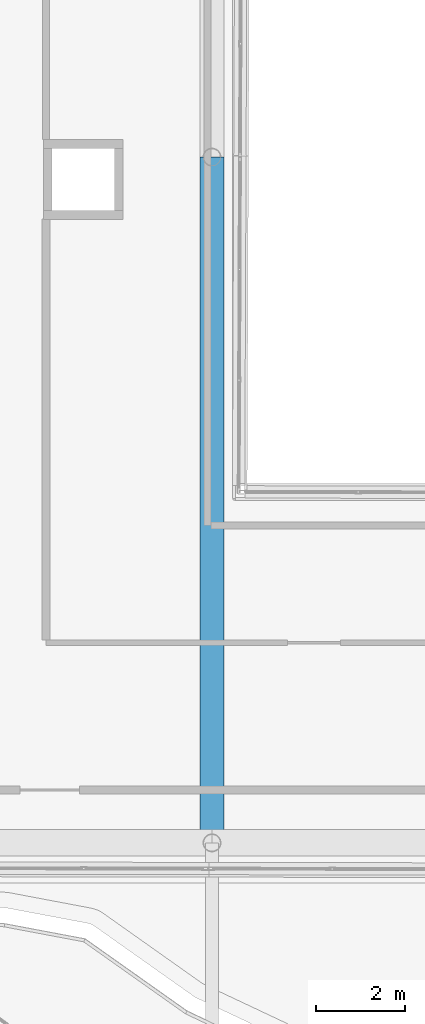
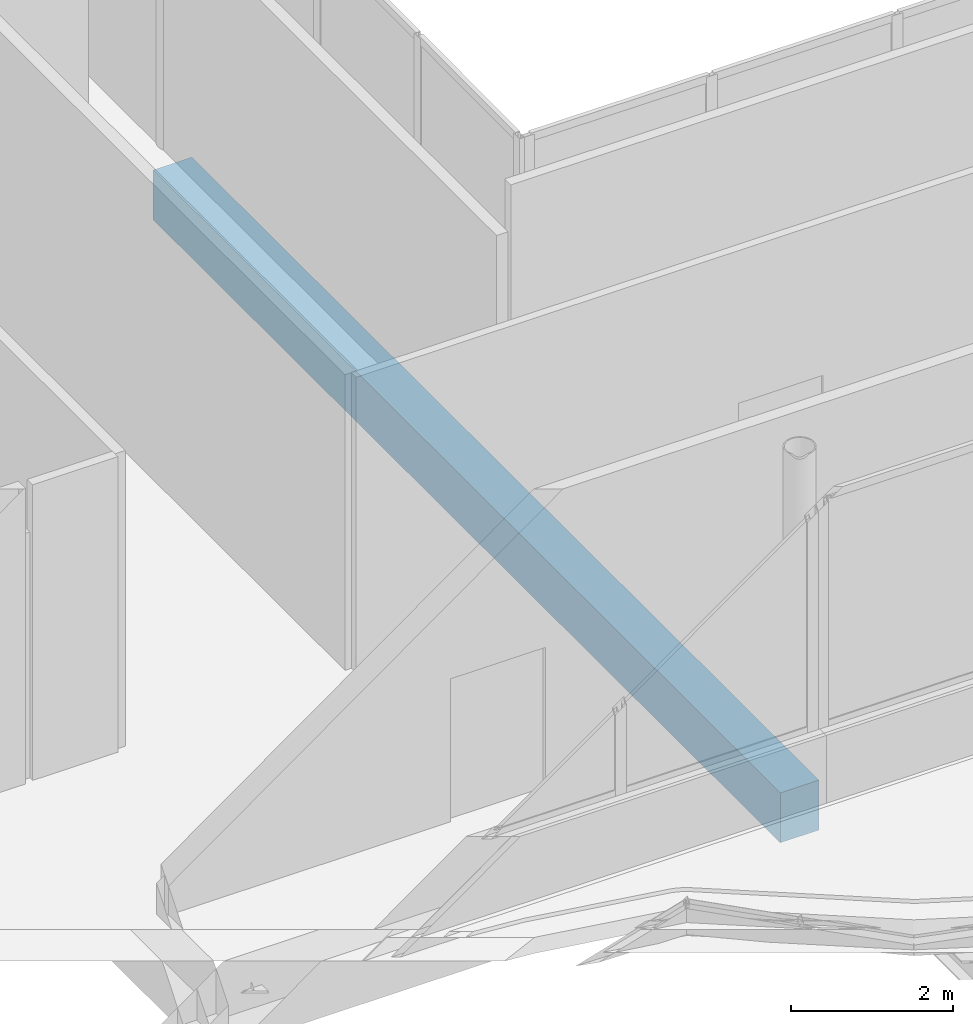
# One storey, part 39 of 168: 1 beam.
"""IFC4 building model written with IfcOpenShell, lengths in metres."""

from ifc_helpers import new_model, si_unit, direction, frame, origin, origin_2d, place, context, subcontext, project, spatial, rectangle, extrude, material, material_profile, profile_set, type_object, element, save


model = new_model("IFC4")

# Units and contexts
model_context = context("Model", 3, precision=1e-05, world=origin(), true_north=direction((0.0, 1.0)))
body_context = subcontext(model_context, "Body", "Model", "MODEL_VIEW")
ifc_project = project(units=[si_unit("LENGTHUNIT", "METRE"), si_unit("AREAUNIT", "SQUARE_METRE"), si_unit("VOLUMEUNIT", "CUBIC_METRE"), si_unit("PLANEANGLEUNIT", "RADIAN"), si_unit("MASSUNIT", "GRAM", prefix="KILO")], contexts=[model_context])

# Site, building, storey
site_placement = place(None, origin())
site = spatial("IfcSite", under=ifc_project, at=site_placement, CompositionType="ELEMENT")
building_placement = place(site_placement, origin())
building = spatial("IfcBuilding", under=site, at=building_placement, Name="Selatvlak General Hospital", CompositionType="ELEMENT")
storey_placement = place(building_placement, frame((0.0, 0.0, 5.39990234375)))
storey = spatial("IfcBuildingStorey", under=building, at=storey_placement, Name="L01", CompositionType="ELEMENT", Elevation=5.39990234375)

# Beam
ifc_material = material(Name="Concrete C40/50", Category="concrete")
ifc_material_profile = material_profile(ifc_material, rectangle(XDim=0.550048828125, YDim=0.75, at=origin_2d()), Name="RC-BM 550x750")
ifc_profile_set = profile_set([ifc_material_profile], Name="Concrete C40/50")
beam_type = type_object("IfcBeamType", Name="BM-G02", PredefinedType="BEAM", material=ifc_profile_set)
beam_placement = place(storey_placement, frame((39.60009765625, 52.550048828125, -0.69482421875), z_axis=(0.0, 1.0, 0.0), x_axis=(-1.0, 0.0, 0.0)))
element("IfcBeam", 1, at=beam_placement, inside=storey, type_object=beam_type, Name="Beam BMR-L01-0559", PredefinedType="BEAM", context=body_context, shape_type="SweptSolid", body=[
    extrude(rectangle(XDim=0.550048828125, YDim=0.75, at=origin_2d()), origin(), (0.0, 0.0, 1.0), 15.449951171875),
])

save(model, "model.ifc")
